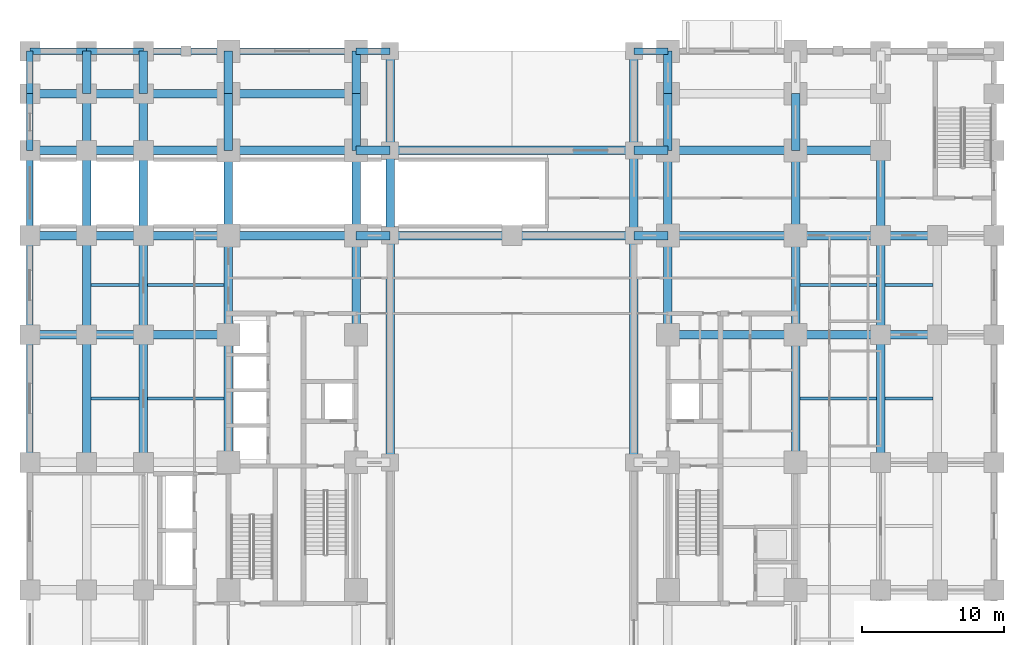
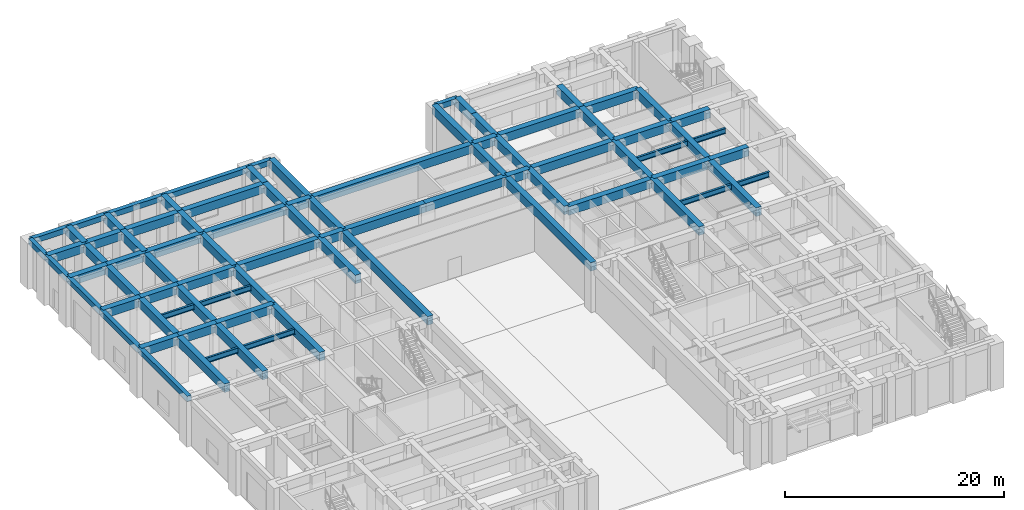
# One storey, part 4 of 20: 85 beams.
"""IFC4 building model written with IfcOpenShell, lengths in metres."""

from ifc_helpers import new_model, si_unit, direction, frame, origin, origin_2d, place, context, subcontext, project, spatial, rectangle, i_section, extrude, material, material_profile, profile_set, type_object, element, save


model = new_model("IFC4")

# Units and contexts
model_context = context("Model", 3, precision=1e-05, world=origin(), true_north=direction((0.0, 1.0)))
body_context = subcontext(model_context, "Body", "Model", "MODEL_VIEW")
ifc_project = project(units=[si_unit("LENGTHUNIT", "METRE"), si_unit("AREAUNIT", "SQUARE_METRE"), si_unit("VOLUMEUNIT", "CUBIC_METRE"), si_unit("PLANEANGLEUNIT", "RADIAN"), si_unit("MASSUNIT", "GRAM", prefix="KILO")], contexts=[model_context])

# Site, building, storey
site_placement = place(None, origin())
site = spatial("IfcSite", under=ifc_project, at=site_placement, CompositionType="ELEMENT")
building_placement = place(site_placement, origin())
building = spatial("IfcBuilding", under=site, at=building_placement, Name="Zulmaris Gate Convention Tower", CompositionType="ELEMENT")
storey_placement = place(building_placement, origin())
storey = spatial("IfcBuildingStorey", under=building, at=storey_placement, Name="L00", CompositionType="ELEMENT", Elevation=0.0)

# Beams
ifc_material_1 = material(Name="Concrete C60/75", Category="concrete")
ifc_material_profile_1 = material_profile(ifc_material_1, rectangle(XDim=0.60009765625, YDim=0.949951171875, at=origin_2d()), Name="RC BEAM 600x950")
ifc_profile_set_1 = profile_set([ifc_material_profile_1], Name="Concrete C60/75")
beam_type_1 = type_object("IfcBeamType", Name="BM-RC600x950", PredefinedType="BEAM", material=ifc_profile_set_1)
for number, where, z_axis, x_axis, name in (
    (1, (-34.0, 9.0, 4.614990234375), (1.0, 0.0, 0.0), (0.0, 1.0, 0.0), "L00 Beam BM-L00-X-+9.0--34.0"),
    (2, (-30.0, 9.0, 4.614990234375), (1.0, 0.0, 0.0), (0.0, 1.0, 0.0), "L00 Beam BM-L00-X-+9.0--30.0"),
):
    element("IfcBeam", number, at=place(storey_placement, frame(where, z_axis=z_axis, x_axis=x_axis)), inside=storey, type_object=beam_type_1, Name=name, PredefinedType="BEAM", context=body_context, shape_type="SweptSolid", body=[
        extrude(rectangle(XDim=0.60009765625, YDim=0.949951171875, at=origin_2d()), origin(), (0.0, 0.0, 1.0), 4.0),
    ])
beam_1_placement = place(storey_placement, frame((-26.0, 9.0, 4.614990234375), z_axis=(1.0, 0.0, 0.0), x_axis=(0.0, 1.0, 0.0)))
element("IfcBeam", 3, at=beam_1_placement, inside=storey, type_object=beam_type_1, Name="L00 Beam BM-L00-X-+9.0--26.0", PredefinedType="BEAM", context=body_context, shape_type="SweptSolid", body=[
    extrude(rectangle(XDim=0.60009765625, YDim=0.949951171875, at=origin_2d()), origin(), (0.0, 0.0, 1.0), 6.0),
])
beam_2_placement = place(storey_placement, frame((11.0, 9.0, 4.614990234375), z_axis=(1.0, 0.0, 0.0), x_axis=(0.0, 1.0, 0.0)))
element("IfcBeam", 4, at=beam_2_placement, inside=storey, type_object=beam_type_1, Name="L00 Beam BM-L00-X-+9.0-+11.0", PredefinedType="BEAM", context=body_context, shape_type="SweptSolid", body=[
    extrude(rectangle(XDim=0.60009765625, YDim=0.949951171875, at=origin_2d()), origin(), (0.0, 0.0, 1.0), 9.0),
])
beam_3_placement = place(storey_placement, frame((20.0, 9.0, 4.614990234375), z_axis=(1.0, 0.0, 0.0), x_axis=(0.0, 1.0, 0.0)))
element("IfcBeam", 5, at=beam_3_placement, inside=storey, type_object=beam_type_1, Name="L00 Beam BM-L00-X-+9.0-+20.0", PredefinedType="BEAM", context=body_context, shape_type="SweptSolid", body=[
    extrude(rectangle(XDim=0.60009765625, YDim=0.949951171875, at=origin_2d()), origin(), (0.0, 0.0, 1.0), 6.0),
])
for number, where, z_axis, x_axis, name in (
    (6, (26.0, 9.0, 4.614990234375), (1.0, 0.0, 0.0), (0.0, 1.0, 0.0), "L00 Beam BM-L00-X-+9.0-+26.0"),
    (7, (-34.0, 16.0, 4.614990234375), (1.0, 0.0, 0.0), (0.0, 1.0, 0.0), "L00 Beam BM-L00-X-+16.0--34.0"),
    (8, (-30.0, 16.0, 4.614990234375), (1.0, 0.0, 0.0), (0.0, 1.0, 0.0), "L00 Beam BM-L00-X-+16.0--30.0"),
):
    element("IfcBeam", number, at=place(storey_placement, frame(where, z_axis=z_axis, x_axis=x_axis)), inside=storey, type_object=beam_type_1, Name=name, PredefinedType="BEAM", context=body_context, shape_type="SweptSolid", body=[
        extrude(rectangle(XDim=0.60009765625, YDim=0.949951171875, at=origin_2d()), origin(), (0.0, 0.0, 1.0), 4.0),
    ])
beam_4_placement = place(storey_placement, frame((-26.0, 16.0, 4.614990234375), z_axis=(1.0, 0.0, 0.0), x_axis=(0.0, 1.0, 0.0)))
element("IfcBeam", 9, at=beam_4_placement, inside=storey, type_object=beam_type_1, Name="L00 Beam BM-L00-X-+16.0--26.0", PredefinedType="BEAM", context=body_context, shape_type="SweptSolid", body=[
    extrude(rectangle(XDim=0.60009765625, YDim=0.949951171875, at=origin_2d()), origin(), (0.0, 0.0, 1.0), 6.0),
])
beam_5_placement = place(storey_placement, frame((-20.0, 16.0, 4.614990234375), z_axis=(1.0, 0.0, 0.0), x_axis=(0.0, 1.0, 0.0)))
element("IfcBeam", 10, at=beam_5_placement, inside=storey, type_object=beam_type_1, Name="L00 Beam BM-L00-X-+16.0--20.0", PredefinedType="BEAM", context=body_context, shape_type="SweptSolid", body=[
    extrude(rectangle(XDim=0.60009765625, YDim=0.949951171875, at=origin_2d()), origin(), (0.0, 0.0, 1.0), 9.0),
])
beam_6_placement = place(storey_placement, frame((-11.0, 16.0, 4.614990234375), z_axis=(1.0, 0.0, 0.0), x_axis=(0.0, 1.0, 0.0)))
element("IfcBeam", 11, at=beam_6_placement, inside=storey, type_object=beam_type_1, Name="L00 Beam BM-L00-X-+16.0--11.0", PredefinedType="BEAM", context=body_context, shape_type="SweptSolid", body=[
    extrude(rectangle(XDim=0.60009765625, YDim=0.949951171875, at=origin_2d()), origin(), (0.0, 0.0, 1.0), 2.39990234375),
])
for number, where, z_axis, x_axis, name in (
    (12, (-8.60009765625, 16.0, 4.614990234375), (1.0, 0.0, 0.0), (0.0, 1.0, 0.0), "L00 Beam BM-L00-X-+16.0--8.6"),
    (13, (0.0, 16.0, 4.614990234375), (1.0, 0.0, 0.0), (0.0, 1.0, 0.0), "L00 Beam BM-L00-X-+16.0-+0.0"),
):
    element("IfcBeam", number, at=place(storey_placement, frame(where, z_axis=z_axis, x_axis=x_axis)), inside=storey, type_object=beam_type_1, Name=name, PredefinedType="BEAM", context=body_context, shape_type="SweptSolid", body=[
        extrude(rectangle(XDim=0.60009765625, YDim=0.949951171875, at=origin_2d()), origin(), (0.0, 0.0, 1.0), 8.60009765625),
    ])
beam_7_placement = place(storey_placement, frame((8.60009765625, 16.0, 4.614990234375), z_axis=(1.0, 0.0, 0.0), x_axis=(0.0, 1.0, 0.0)))
element("IfcBeam", 14, at=beam_7_placement, inside=storey, type_object=beam_type_1, Name="L00 Beam BM-L00-X-+16.0-+8.6", PredefinedType="BEAM", context=body_context, shape_type="SweptSolid", body=[
    extrude(rectangle(XDim=0.60009765625, YDim=0.949951171875, at=origin_2d()), origin(), (0.0, 0.0, 1.0), 2.39990234375),
])
beam_8_placement = place(storey_placement, frame((11.0, 16.0, 4.614990234375), z_axis=(1.0, 0.0, 0.0), x_axis=(0.0, 1.0, 0.0)))
element("IfcBeam", 15, at=beam_8_placement, inside=storey, type_object=beam_type_1, Name="L00 Beam BM-L00-X-+16.0-+11.0", PredefinedType="BEAM", context=body_context, shape_type="SweptSolid", body=[
    extrude(rectangle(XDim=0.60009765625, YDim=0.949951171875, at=origin_2d()), origin(), (0.0, 0.0, 1.0), 9.0),
])
beam_9_placement = place(storey_placement, frame((20.0, 16.0, 4.614990234375), z_axis=(1.0, 0.0, 0.0), x_axis=(0.0, 1.0, 0.0)))
element("IfcBeam", 16, at=beam_9_placement, inside=storey, type_object=beam_type_1, Name="L00 Beam BM-L00-X-+16.0-+20.0", PredefinedType="BEAM", context=body_context, shape_type="SweptSolid", body=[
    extrude(rectangle(XDim=0.60009765625, YDim=0.949951171875, at=origin_2d()), origin(), (0.0, 0.0, 1.0), 6.0),
])
for number, where, z_axis, x_axis, name in (
    (17, (26.0, 16.0, 4.614990234375), (1.0, 0.0, 0.0), (0.0, 1.0, 0.0), "L00 Beam BM-L00-X-+16.0-+26.0"),
    (18, (-34.0, 22.0, 4.614990234375), (1.0, 0.0, 0.0), (0.0, 1.0, 0.0), "L00 Beam BM-L00-X-+22.0--34.0"),
    (19, (-30.0, 22.0, 4.614990234375), (1.0, 0.0, 0.0), (0.0, 1.0, 0.0), "L00 Beam BM-L00-X-+22.0--30.0"),
):
    element("IfcBeam", number, at=place(storey_placement, frame(where, z_axis=z_axis, x_axis=x_axis)), inside=storey, type_object=beam_type_1, Name=name, PredefinedType="BEAM", context=body_context, shape_type="SweptSolid", body=[
        extrude(rectangle(XDim=0.60009765625, YDim=0.949951171875, at=origin_2d()), origin(), (0.0, 0.0, 1.0), 4.0),
    ])
beam_10_placement = place(storey_placement, frame((-26.0, 22.0, 4.614990234375), z_axis=(1.0, 0.0, 0.0), x_axis=(0.0, 1.0, 0.0)))
element("IfcBeam", 20, at=beam_10_placement, inside=storey, type_object=beam_type_1, Name="L00 Beam BM-L00-X-+22.0--26.0", PredefinedType="BEAM", context=body_context, shape_type="SweptSolid", body=[
    extrude(rectangle(XDim=0.60009765625, YDim=0.949951171875, at=origin_2d()), origin(), (0.0, 0.0, 1.0), 6.0),
])
beam_11_placement = place(storey_placement, frame((-20.0, 22.0, 4.614990234375), z_axis=(1.0, 0.0, 0.0), x_axis=(0.0, 1.0, 0.0)))
element("IfcBeam", 21, at=beam_11_placement, inside=storey, type_object=beam_type_1, Name="L00 Beam BM-L00-X-+22.0--20.0", PredefinedType="BEAM", context=body_context, shape_type="SweptSolid", body=[
    extrude(rectangle(XDim=0.60009765625, YDim=0.949951171875, at=origin_2d()), origin(), (0.0, 0.0, 1.0), 9.0),
])
beam_12_placement = place(storey_placement, frame((-11.0, 22.0, 4.614990234375), z_axis=(1.0, 0.0, 0.0), x_axis=(0.0, 1.0, 0.0)))
element("IfcBeam", 22, at=beam_12_placement, inside=storey, type_object=beam_type_1, Name="L00 Beam BM-L00-X-+22.0--11.0", PredefinedType="BEAM", context=body_context, shape_type="SweptSolid", body=[
    extrude(rectangle(XDim=0.60009765625, YDim=0.949951171875, at=origin_2d()), origin(), (0.0, 0.0, 1.0), 2.39990234375),
])
beam_13_placement = place(storey_placement, frame((-8.60009765625, 22.0, 4.614990234375), z_axis=(1.0, 0.0, 0.0), x_axis=(0.0, 1.0, 0.0)))
element("IfcBeam", 23, at=beam_13_placement, inside=storey, type_object=beam_type_1, Name="L00 Beam BM-L00-X-+22.0--8.6", PredefinedType="BEAM", context=body_context, shape_type="SweptSolid", body=[
    extrude(rectangle(XDim=0.60009765625, YDim=0.949951171875, at=origin_2d()), origin(), (0.0, 0.0, 1.0), 17.2001953125),
])
beam_14_placement = place(storey_placement, frame((8.60009765625, 22.0, 4.614990234375), z_axis=(1.0, 0.0, 0.0), x_axis=(0.0, 1.0, 0.0)))
element("IfcBeam", 24, at=beam_14_placement, inside=storey, type_object=beam_type_1, Name="L00 Beam BM-L00-X-+22.0-+8.6", PredefinedType="BEAM", context=body_context, shape_type="SweptSolid", body=[
    extrude(rectangle(XDim=0.60009765625, YDim=0.949951171875, at=origin_2d()), origin(), (0.0, 0.0, 1.0), 2.39990234375),
])
beam_15_placement = place(storey_placement, frame((11.0, 22.0, 4.614990234375), z_axis=(1.0, 0.0, 0.0), x_axis=(0.0, 1.0, 0.0)))
element("IfcBeam", 25, at=beam_15_placement, inside=storey, type_object=beam_type_1, Name="L00 Beam BM-L00-X-+22.0-+11.0", PredefinedType="BEAM", context=body_context, shape_type="SweptSolid", body=[
    extrude(rectangle(XDim=0.60009765625, YDim=0.949951171875, at=origin_2d()), origin(), (0.0, 0.0, 1.0), 9.0),
])
beam_16_placement = place(storey_placement, frame((20.0, 22.0, 4.614990234375), z_axis=(1.0, 0.0, 0.0), x_axis=(0.0, 1.0, 0.0)))
element("IfcBeam", 26, at=beam_16_placement, inside=storey, type_object=beam_type_1, Name="L00 Beam BM-L00-X-+22.0-+20.0", PredefinedType="BEAM", context=body_context, shape_type="SweptSolid", body=[
    extrude(rectangle(XDim=0.60009765625, YDim=0.949951171875, at=origin_2d()), origin(), (0.0, 0.0, 1.0), 6.0),
])
for number, where, z_axis, x_axis, name in (
    (27, (-34.0, 26.0, 4.614990234375), (1.0, 0.0, 0.0), (0.0, 1.0, 0.0), "L00 Beam BM-L00-X-+26.0--34.0"),
    (28, (-30.0, 26.0, 4.614990234375), (1.0, 0.0, 0.0), (0.0, 1.0, 0.0), "L00 Beam BM-L00-X-+26.0--30.0"),
):
    element("IfcBeam", number, at=place(storey_placement, frame(where, z_axis=z_axis, x_axis=x_axis)), inside=storey, type_object=beam_type_1, Name=name, PredefinedType="BEAM", context=body_context, shape_type="SweptSolid", body=[
        extrude(rectangle(XDim=0.60009765625, YDim=0.949951171875, at=origin_2d()), origin(), (0.0, 0.0, 1.0), 4.0),
    ])
beam_17_placement = place(storey_placement, frame((-26.0, 26.0, 4.614990234375), z_axis=(1.0, 0.0, 0.0), x_axis=(0.0, 1.0, 0.0)))
element("IfcBeam", 29, at=beam_17_placement, inside=storey, type_object=beam_type_1, Name="L00 Beam BM-L00-X-+26.0--26.0", PredefinedType="BEAM", context=body_context, shape_type="SweptSolid", body=[
    extrude(rectangle(XDim=0.60009765625, YDim=0.949951171875, at=origin_2d()), origin(), (0.0, 0.0, 1.0), 6.0),
])
for number, where, z_axis, x_axis, name in (
    (30, (-20.0, 26.0, 4.614990234375), (1.0, 0.0, 0.0), (0.0, 1.0, 0.0), "L00 Beam BM-L00-X-+26.0--20.0"),
    (31, (-30.0, 0.0, 4.614990234375), (0.0, 1.0, 0.0), (-1.0, 0.0, 0.0), "L00 Beam BM-L00-Y--30.0-+0.0"),
):
    element("IfcBeam", number, at=place(storey_placement, frame(where, z_axis=z_axis, x_axis=x_axis)), inside=storey, type_object=beam_type_1, Name=name, PredefinedType="BEAM", context=body_context, shape_type="SweptSolid", body=[
        extrude(rectangle(XDim=0.60009765625, YDim=0.949951171875, at=origin_2d()), origin(), (0.0, 0.0, 1.0), 9.0),
    ])
beam_18_placement = place(storey_placement, frame((-30.0, 9.0, 4.614990234375), z_axis=(0.0, 1.0, 0.0), x_axis=(-1.0, 0.0, 0.0)))
element("IfcBeam", 32, at=beam_18_placement, inside=storey, type_object=beam_type_1, Name="L00 Beam BM-L00-Y--30.0-+9.0", PredefinedType="BEAM", context=body_context, shape_type="SweptSolid", body=[
    extrude(rectangle(XDim=0.60009765625, YDim=0.949951171875, at=origin_2d()), origin(), (0.0, 0.0, 1.0), 7.0),
])
beam_19_placement = place(storey_placement, frame((-30.0, 16.0, 4.614990234375), z_axis=(0.0, 1.0, 0.0), x_axis=(-1.0, 0.0, 0.0)))
element("IfcBeam", 33, at=beam_19_placement, inside=storey, type_object=beam_type_1, Name="L00 Beam BM-L00-Y--30.0-+16.0", PredefinedType="BEAM", context=body_context, shape_type="SweptSolid", body=[
    extrude(rectangle(XDim=0.60009765625, YDim=0.949951171875, at=origin_2d()), origin(), (0.0, 0.0, 1.0), 6.0),
])
beam_20_placement = place(storey_placement, frame((-30.0, 22.0, 4.614990234375), z_axis=(0.0, 1.0, 0.0), x_axis=(-1.0, 0.0, 0.0)))
element("IfcBeam", 34, at=beam_20_placement, inside=storey, type_object=beam_type_1, Name="L00 Beam BM-L00-Y--30.0-+22.0", PredefinedType="BEAM", context=body_context, shape_type="SweptSolid", body=[
    extrude(rectangle(XDim=0.60009765625, YDim=0.949951171875, at=origin_2d()), origin(), (0.0, 0.0, 1.0), 4.0),
])
beam_21_placement = place(storey_placement, frame((-30.0, 26.0, 4.614990234375), z_axis=(0.0, 1.0, 0.0), x_axis=(-1.0, 0.0, 0.0)))
element("IfcBeam", 35, at=beam_21_placement, inside=storey, type_object=beam_type_1, Name="L00 Beam BM-L00-Y--30.0-+26.0", PredefinedType="BEAM", context=body_context, shape_type="SweptSolid", body=[
    extrude(rectangle(XDim=0.60009765625, YDim=0.949951171875, at=origin_2d()), origin(), (0.0, 0.0, 1.0), 3.0),
])
beam_22_placement = place(storey_placement, frame((-26.0, 0.0, 4.614990234375), z_axis=(0.0, 1.0, 0.0), x_axis=(-1.0, 0.0, 0.0)))
element("IfcBeam", 36, at=beam_22_placement, inside=storey, type_object=beam_type_1, Name="L00 Beam BM-L00-Y--26.0-+0.0", PredefinedType="BEAM", context=body_context, shape_type="SweptSolid", body=[
    extrude(rectangle(XDim=0.60009765625, YDim=0.949951171875, at=origin_2d()), origin(), (0.0, 0.0, 1.0), 9.0),
])
beam_23_placement = place(storey_placement, frame((-26.0, 9.0, 4.614990234375), z_axis=(0.0, 1.0, 0.0), x_axis=(-1.0, 0.0, 0.0)))
element("IfcBeam", 37, at=beam_23_placement, inside=storey, type_object=beam_type_1, Name="L00 Beam BM-L00-Y--26.0-+9.0", PredefinedType="BEAM", context=body_context, shape_type="SweptSolid", body=[
    extrude(rectangle(XDim=0.60009765625, YDim=0.949951171875, at=origin_2d()), origin(), (0.0, 0.0, 1.0), 7.0),
])
beam_24_placement = place(storey_placement, frame((-26.0, 16.0, 4.614990234375), z_axis=(0.0, 1.0, 0.0), x_axis=(-1.0, 0.0, 0.0)))
element("IfcBeam", 38, at=beam_24_placement, inside=storey, type_object=beam_type_1, Name="L00 Beam BM-L00-Y--26.0-+16.0", PredefinedType="BEAM", context=body_context, shape_type="SweptSolid", body=[
    extrude(rectangle(XDim=0.60009765625, YDim=0.949951171875, at=origin_2d()), origin(), (0.0, 0.0, 1.0), 6.0),
])
beam_25_placement = place(storey_placement, frame((-26.0, 22.0, 4.614990234375), z_axis=(0.0, 1.0, 0.0), x_axis=(-1.0, 0.0, 0.0)))
element("IfcBeam", 39, at=beam_25_placement, inside=storey, type_object=beam_type_1, Name="L00 Beam BM-L00-Y--26.0-+22.0", PredefinedType="BEAM", context=body_context, shape_type="SweptSolid", body=[
    extrude(rectangle(XDim=0.60009765625, YDim=0.949951171875, at=origin_2d()), origin(), (0.0, 0.0, 1.0), 4.0),
])
beam_26_placement = place(storey_placement, frame((-26.0, 26.0, 4.614990234375), z_axis=(0.0, 1.0, 0.0), x_axis=(-1.0, 0.0, 0.0)))
element("IfcBeam", 40, at=beam_26_placement, inside=storey, type_object=beam_type_1, Name="L00 Beam BM-L00-Y--26.0-+26.0", PredefinedType="BEAM", context=body_context, shape_type="SweptSolid", body=[
    extrude(rectangle(XDim=0.60009765625, YDim=0.949951171875, at=origin_2d()), origin(), (0.0, 0.0, 1.0), 3.0),
])
beam_27_placement = place(storey_placement, frame((-20.0, 0.0, 4.614990234375), z_axis=(0.0, 1.0, 0.0), x_axis=(-1.0, 0.0, 0.0)))
element("IfcBeam", 41, at=beam_27_placement, inside=storey, type_object=beam_type_1, Name="L00 Beam BM-L00-Y--20.0-+0.0", PredefinedType="BEAM", context=body_context, shape_type="SweptSolid", body=[
    extrude(rectangle(XDim=0.60009765625, YDim=0.949951171875, at=origin_2d()), origin(), (0.0, 0.0, 1.0), 9.0),
])
beam_28_placement = place(storey_placement, frame((-20.0, 9.0, 4.614990234375), z_axis=(0.0, 1.0, 0.0), x_axis=(-1.0, 0.0, 0.0)))
element("IfcBeam", 42, at=beam_28_placement, inside=storey, type_object=beam_type_1, Name="L00 Beam BM-L00-Y--20.0-+9.0", PredefinedType="BEAM", context=body_context, shape_type="SweptSolid", body=[
    extrude(rectangle(XDim=0.60009765625, YDim=0.949951171875, at=origin_2d()), origin(), (0.0, 0.0, 1.0), 7.0),
])
beam_29_placement = place(storey_placement, frame((-20.0, 16.0, 4.614990234375), z_axis=(0.0, 1.0, 0.0), x_axis=(-1.0, 0.0, 0.0)))
element("IfcBeam", 43, at=beam_29_placement, inside=storey, type_object=beam_type_1, Name="L00 Beam BM-L00-Y--20.0-+16.0", PredefinedType="BEAM", context=body_context, shape_type="SweptSolid", body=[
    extrude(rectangle(XDim=0.60009765625, YDim=0.949951171875, at=origin_2d()), origin(), (0.0, 0.0, 1.0), 6.0),
])
beam_30_placement = place(storey_placement, frame((-20.0, 22.0, 4.614990234375), z_axis=(0.0, 1.0, 0.0), x_axis=(-1.0, 0.0, 0.0)))
element("IfcBeam", 44, at=beam_30_placement, inside=storey, type_object=beam_type_1, Name="L00 Beam BM-L00-Y--20.0-+22.0", PredefinedType="BEAM", context=body_context, shape_type="SweptSolid", body=[
    extrude(rectangle(XDim=0.60009765625, YDim=0.949951171875, at=origin_2d()), origin(), (0.0, 0.0, 1.0), 4.0),
])
beam_31_placement = place(storey_placement, frame((-20.0, 26.0, 4.614990234375), z_axis=(0.0, 1.0, 0.0), x_axis=(-1.0, 0.0, 0.0)))
element("IfcBeam", 45, at=beam_31_placement, inside=storey, type_object=beam_type_1, Name="L00 Beam BM-L00-Y--20.0-+26.0", PredefinedType="BEAM", context=body_context, shape_type="SweptSolid", body=[
    extrude(rectangle(XDim=0.60009765625, YDim=0.949951171875, at=origin_2d()), origin(), (0.0, 0.0, 1.0), 3.0),
])
beam_32_placement = place(storey_placement, frame((-11.0, 9.0, 4.614990234375), z_axis=(0.0, 1.0, 0.0), x_axis=(-1.0, 0.0, 0.0)))
element("IfcBeam", 46, at=beam_32_placement, inside=storey, type_object=beam_type_1, Name="L00 Beam BM-L00-Y--11.0-+9.0", PredefinedType="BEAM", context=body_context, shape_type="SweptSolid", body=[
    extrude(rectangle(XDim=0.60009765625, YDim=0.949951171875, at=origin_2d()), origin(), (0.0, 0.0, 1.0), 7.0),
])
beam_33_placement = place(storey_placement, frame((-11.0, 16.0, 4.614990234375), z_axis=(0.0, 1.0, 0.0), x_axis=(-1.0, 0.0, 0.0)))
element("IfcBeam", 47, at=beam_33_placement, inside=storey, type_object=beam_type_1, Name="L00 Beam BM-L00-Y--11.0-+16.0", PredefinedType="BEAM", context=body_context, shape_type="SweptSolid", body=[
    extrude(rectangle(XDim=0.60009765625, YDim=0.949951171875, at=origin_2d()), origin(), (0.0, 0.0, 1.0), 6.0),
])
beam_34_placement = place(storey_placement, frame((-11.0, 22.0, 4.614990234375), z_axis=(0.0, 1.0, 0.0), x_axis=(-1.0, 0.0, 0.0)))
element("IfcBeam", 48, at=beam_34_placement, inside=storey, type_object=beam_type_1, Name="L00 Beam BM-L00-Y--11.0-+22.0", PredefinedType="BEAM", context=body_context, shape_type="SweptSolid", body=[
    extrude(rectangle(XDim=0.60009765625, YDim=0.949951171875, at=origin_2d()), origin(), (0.0, 0.0, 1.0), 4.0),
])
beam_35_placement = place(storey_placement, frame((-11.0, 26.0, 4.614990234375), z_axis=(0.0, 1.0, 0.0), x_axis=(-1.0, 0.0, 0.0)))
element("IfcBeam", 49, at=beam_35_placement, inside=storey, type_object=beam_type_1, Name="L00 Beam BM-L00-Y--11.0-+26.0", PredefinedType="BEAM", context=body_context, shape_type="SweptSolid", body=[
    extrude(rectangle(XDim=0.60009765625, YDim=0.949951171875, at=origin_2d()), origin(), (0.0, 0.0, 1.0), 3.0),
])
beam_36_placement = place(storey_placement, frame((-8.60009765625, 0.0, 4.614990234375), z_axis=(0.0, 1.0, 0.0), x_axis=(-1.0, 0.0, 0.0)))
element("IfcBeam", 50, at=beam_36_placement, inside=storey, type_object=beam_type_1, Name="L00 Beam BM-L00-Y--8.6-+0.0", PredefinedType="BEAM", context=body_context, shape_type="SweptSolid", body=[
    extrude(rectangle(XDim=0.60009765625, YDim=0.949951171875, at=origin_2d()), origin(), (0.0, 0.0, 1.0), 16.0),
])
beam_37_placement = place(storey_placement, frame((-8.60009765625, 16.0, 4.614990234375), z_axis=(0.0, 1.0, 0.0), x_axis=(-1.0, 0.0, 0.0)))
element("IfcBeam", 51, at=beam_37_placement, inside=storey, type_object=beam_type_1, Name="L00 Beam BM-L00-Y--8.6-+16.0", PredefinedType="BEAM", context=body_context, shape_type="SweptSolid", body=[
    extrude(rectangle(XDim=0.60009765625, YDim=0.949951171875, at=origin_2d()), origin(), (0.0, 0.0, 1.0), 6.0),
])
beam_38_placement = place(storey_placement, frame((-8.60009765625, 22.0, 4.614990234375), z_axis=(0.0, 1.0, 0.0), x_axis=(-1.0, 0.0, 0.0)))
element("IfcBeam", 52, at=beam_38_placement, inside=storey, type_object=beam_type_1, Name="L00 Beam BM-L00-Y--8.6-+22.0", PredefinedType="BEAM", context=body_context, shape_type="SweptSolid", body=[
    extrude(rectangle(XDim=0.60009765625, YDim=0.949951171875, at=origin_2d()), origin(), (0.0, 0.0, 1.0), 7.0),
])
beam_39_placement = place(storey_placement, frame((8.60009765625, 0.0, 4.614990234375), z_axis=(0.0, 1.0, 0.0), x_axis=(-1.0, 0.0, 0.0)))
element("IfcBeam", 53, at=beam_39_placement, inside=storey, type_object=beam_type_1, Name="L00 Beam BM-L00-Y-+8.6-+0.0", PredefinedType="BEAM", context=body_context, shape_type="SweptSolid", body=[
    extrude(rectangle(XDim=0.60009765625, YDim=0.949951171875, at=origin_2d()), origin(), (0.0, 0.0, 1.0), 16.0),
])
beam_40_placement = place(storey_placement, frame((8.60009765625, 16.0, 4.614990234375), z_axis=(0.0, 1.0, 0.0), x_axis=(-1.0, 0.0, 0.0)))
element("IfcBeam", 54, at=beam_40_placement, inside=storey, type_object=beam_type_1, Name="L00 Beam BM-L00-Y-+8.6-+16.0", PredefinedType="BEAM", context=body_context, shape_type="SweptSolid", body=[
    extrude(rectangle(XDim=0.60009765625, YDim=0.949951171875, at=origin_2d()), origin(), (0.0, 0.0, 1.0), 6.0),
])
for number, where, z_axis, x_axis, name in (
    (55, (8.60009765625, 22.0, 4.614990234375), (0.0, 1.0, 0.0), (-1.0, 0.0, 0.0), "L00 Beam BM-L00-Y-+8.6-+22.0"),
    (56, (11.0, 9.0, 4.614990234375), (0.0, 1.0, 0.0), (-1.0, 0.0, 0.0), "L00 Beam BM-L00-Y-+11.0-+9.0"),
):
    element("IfcBeam", number, at=place(storey_placement, frame(where, z_axis=z_axis, x_axis=x_axis)), inside=storey, type_object=beam_type_1, Name=name, PredefinedType="BEAM", context=body_context, shape_type="SweptSolid", body=[
        extrude(rectangle(XDim=0.60009765625, YDim=0.949951171875, at=origin_2d()), origin(), (0.0, 0.0, 1.0), 7.0),
    ])
beam_41_placement = place(storey_placement, frame((11.0, 16.0, 4.614990234375), z_axis=(0.0, 1.0, 0.0), x_axis=(-1.0, 0.0, 0.0)))
element("IfcBeam", 57, at=beam_41_placement, inside=storey, type_object=beam_type_1, Name="L00 Beam BM-L00-Y-+11.0-+16.0", PredefinedType="BEAM", context=body_context, shape_type="SweptSolid", body=[
    extrude(rectangle(XDim=0.60009765625, YDim=0.949951171875, at=origin_2d()), origin(), (0.0, 0.0, 1.0), 6.0),
])
beam_42_placement = place(storey_placement, frame((11.0, 22.0, 4.614990234375), z_axis=(0.0, 1.0, 0.0), x_axis=(-1.0, 0.0, 0.0)))
element("IfcBeam", 58, at=beam_42_placement, inside=storey, type_object=beam_type_1, Name="L00 Beam BM-L00-Y-+11.0-+22.0", PredefinedType="BEAM", context=body_context, shape_type="SweptSolid", body=[
    extrude(rectangle(XDim=0.60009765625, YDim=0.949951171875, at=origin_2d()), origin(), (0.0, 0.0, 1.0), 4.0),
])
beam_43_placement = place(storey_placement, frame((11.0, 26.0, 4.614990234375), z_axis=(0.0, 1.0, 0.0), x_axis=(-1.0, 0.0, 0.0)))
element("IfcBeam", 59, at=beam_43_placement, inside=storey, type_object=beam_type_1, Name="L00 Beam BM-L00-Y-+11.0-+26.0", PredefinedType="BEAM", context=body_context, shape_type="SweptSolid", body=[
    extrude(rectangle(XDim=0.60009765625, YDim=0.949951171875, at=origin_2d()), origin(), (0.0, 0.0, 1.0), 3.0),
])
beam_44_placement = place(storey_placement, frame((20.0, 0.0, 4.614990234375), z_axis=(0.0, 1.0, 0.0), x_axis=(-1.0, 0.0, 0.0)))
element("IfcBeam", 60, at=beam_44_placement, inside=storey, type_object=beam_type_1, Name="L00 Beam BM-L00-Y-+20.0-+0.0", PredefinedType="BEAM", context=body_context, shape_type="SweptSolid", body=[
    extrude(rectangle(XDim=0.60009765625, YDim=0.949951171875, at=origin_2d()), origin(), (0.0, 0.0, 1.0), 9.0),
])
beam_45_placement = place(storey_placement, frame((20.0, 9.0, 4.614990234375), z_axis=(0.0, 1.0, 0.0), x_axis=(-1.0, 0.0, 0.0)))
element("IfcBeam", 61, at=beam_45_placement, inside=storey, type_object=beam_type_1, Name="L00 Beam BM-L00-Y-+20.0-+9.0", PredefinedType="BEAM", context=body_context, shape_type="SweptSolid", body=[
    extrude(rectangle(XDim=0.60009765625, YDim=0.949951171875, at=origin_2d()), origin(), (0.0, 0.0, 1.0), 7.0),
])
beam_46_placement = place(storey_placement, frame((20.0, 16.0, 4.614990234375), z_axis=(0.0, 1.0, 0.0), x_axis=(-1.0, 0.0, 0.0)))
element("IfcBeam", 62, at=beam_46_placement, inside=storey, type_object=beam_type_1, Name="L00 Beam BM-L00-Y-+20.0-+16.0", PredefinedType="BEAM", context=body_context, shape_type="SweptSolid", body=[
    extrude(rectangle(XDim=0.60009765625, YDim=0.949951171875, at=origin_2d()), origin(), (0.0, 0.0, 1.0), 6.0),
])
beam_47_placement = place(storey_placement, frame((20.0, 22.0, 4.614990234375), z_axis=(0.0, 1.0, 0.0), x_axis=(-1.0, 0.0, 0.0)))
element("IfcBeam", 63, at=beam_47_placement, inside=storey, type_object=beam_type_1, Name="L00 Beam BM-L00-Y-+20.0-+22.0", PredefinedType="BEAM", context=body_context, shape_type="SweptSolid", body=[
    extrude(rectangle(XDim=0.60009765625, YDim=0.949951171875, at=origin_2d()), origin(), (0.0, 0.0, 1.0), 4.0),
])
beam_48_placement = place(storey_placement, frame((26.0, 0.0, 4.614990234375), z_axis=(0.0, 1.0, 0.0), x_axis=(-1.0, 0.0, 0.0)))
element("IfcBeam", 64, at=beam_48_placement, inside=storey, type_object=beam_type_1, Name="L00 Beam BM-L00-Y-+26.0-+0.0", PredefinedType="BEAM", context=body_context, shape_type="SweptSolid", body=[
    extrude(rectangle(XDim=0.60009765625, YDim=0.949951171875, at=origin_2d()), origin(), (0.0, 0.0, 1.0), 9.0),
])
beam_49_placement = place(storey_placement, frame((26.0, 9.0, 4.614990234375), z_axis=(0.0, 1.0, 0.0), x_axis=(-1.0, 0.0, 0.0)))
element("IfcBeam", 65, at=beam_49_placement, inside=storey, type_object=beam_type_1, Name="L00 Beam BM-L00-Y-+26.0-+9.0", PredefinedType="BEAM", context=body_context, shape_type="SweptSolid", body=[
    extrude(rectangle(XDim=0.60009765625, YDim=0.949951171875, at=origin_2d()), origin(), (0.0, 0.0, 1.0), 7.0),
])
beam_50_placement = place(storey_placement, frame((26.0, 16.0, 4.614990234375), z_axis=(0.0, 1.0, 0.0), x_axis=(-1.0, 0.0, 0.0)))
element("IfcBeam", 66, at=beam_50_placement, inside=storey, type_object=beam_type_1, Name="L00 Beam BM-L00-Y-+26.0-+16.0", PredefinedType="BEAM", context=body_context, shape_type="SweptSolid", body=[
    extrude(rectangle(XDim=0.60009765625, YDim=0.949951171875, at=origin_2d()), origin(), (0.0, 0.0, 1.0), 6.0),
])
ifc_material_2 = material(Name="Precast concrete C50/60", Category="concrete")
ifc_material_profile_2 = material_profile(ifc_material_2, rectangle(XDim=0.449951171875, YDim=0.60009765625, at=origin_2d()), Name="RC SPANDREL 450x600")
ifc_profile_set_2 = profile_set([ifc_material_profile_2], Name="Precast concrete C50/60")
beam_type_2 = type_object("IfcBeamType", Name="BM-SP450x600", PredefinedType="SPANDREL", material=ifc_profile_set_2)
for number, where, z_axis, x_axis, name in (
    (67, (-34.0, 29.0, 4.789794921875), (1.0, 0.0, 0.0), (0.0, 1.0, 0.0), "L00 Spandrel BM-L00-X-+29.0--34.0"),
    (68, (-30.0, 29.0, 4.789794921875), (1.0, 0.0, 0.0), (0.0, 1.0, 0.0), "L00 Spandrel BM-L00-X-+29.0--30.0"),
):
    element("IfcBeam", number, at=place(storey_placement, frame(where, z_axis=z_axis, x_axis=x_axis)), inside=storey, type_object=beam_type_2, Name=name, PredefinedType="SPANDREL", context=body_context, shape_type="SweptSolid", body=[
        extrude(rectangle(XDim=0.449951171875, YDim=0.60009765625, at=origin_2d()), origin(), (0.0, 0.0, 1.0), 4.0),
    ])
beam_51_placement = place(storey_placement, frame((-26.0, 29.0, 4.789794921875), z_axis=(1.0, 0.0, 0.0), x_axis=(0.0, 1.0, 0.0)))
element("IfcBeam", 69, at=beam_51_placement, inside=storey, type_object=beam_type_2, Name="L00 Spandrel BM-L00-X-+29.0--26.0", PredefinedType="SPANDREL", context=body_context, shape_type="SweptSolid", body=[
    extrude(rectangle(XDim=0.449951171875, YDim=0.60009765625, at=origin_2d()), origin(), (0.0, 0.0, 1.0), 6.0),
])
beam_52_placement = place(storey_placement, frame((-20.0, 29.0, 4.789794921875), z_axis=(1.0, 0.0, 0.0), x_axis=(0.0, 1.0, 0.0)))
element("IfcBeam", 70, at=beam_52_placement, inside=storey, type_object=beam_type_2, Name="L00 Spandrel BM-L00-X-+29.0--20.0", PredefinedType="SPANDREL", context=body_context, shape_type="SweptSolid", body=[
    extrude(rectangle(XDim=0.449951171875, YDim=0.60009765625, at=origin_2d()), origin(), (0.0, 0.0, 1.0), 9.0),
])
for number, where, z_axis, x_axis, name in (
    (71, (-11.0, 29.0, 4.789794921875), (1.0, 0.0, 0.0), (0.0, 1.0, 0.0), "L00 Spandrel BM-L00-X-+29.0--11.0"),
    (72, (8.60009765625, 29.0, 4.789794921875), (1.0, 0.0, 0.0), (0.0, 1.0, 0.0), "L00 Spandrel BM-L00-X-+29.0-+8.6"),
):
    element("IfcBeam", number, at=place(storey_placement, frame(where, z_axis=z_axis, x_axis=x_axis)), inside=storey, type_object=beam_type_2, Name=name, PredefinedType="SPANDREL", context=body_context, shape_type="SweptSolid", body=[
        extrude(rectangle(XDim=0.449951171875, YDim=0.60009765625, at=origin_2d()), origin(), (0.0, 0.0, 1.0), 2.39990234375),
    ])
beam_53_placement = place(storey_placement, frame((-34.0, 0.0, 4.789794921875), z_axis=(0.0, 1.0, 0.0), x_axis=(-1.0, 0.0, 0.0)))
element("IfcBeam", 73, at=beam_53_placement, inside=storey, type_object=beam_type_2, Name="L00 Spandrel BM-L00-Y--34.0-+0.0", PredefinedType="SPANDREL", context=body_context, shape_type="SweptSolid", body=[
    extrude(rectangle(XDim=0.449951171875, YDim=0.60009765625, at=origin_2d()), origin(), (0.0, 0.0, 1.0), 9.0),
])
beam_54_placement = place(storey_placement, frame((-34.0, 9.0, 4.789794921875), z_axis=(0.0, 1.0, 0.0), x_axis=(-1.0, 0.0, 0.0)))
element("IfcBeam", 74, at=beam_54_placement, inside=storey, type_object=beam_type_2, Name="L00 Spandrel BM-L00-Y--34.0-+9.0", PredefinedType="SPANDREL", context=body_context, shape_type="SweptSolid", body=[
    extrude(rectangle(XDim=0.449951171875, YDim=0.60009765625, at=origin_2d()), origin(), (0.0, 0.0, 1.0), 7.0),
])
beam_55_placement = place(storey_placement, frame((-34.0, 16.0, 4.789794921875), z_axis=(0.0, 1.0, 0.0), x_axis=(-1.0, 0.0, 0.0)))
element("IfcBeam", 75, at=beam_55_placement, inside=storey, type_object=beam_type_2, Name="L00 Spandrel BM-L00-Y--34.0-+16.0", PredefinedType="SPANDREL", context=body_context, shape_type="SweptSolid", body=[
    extrude(rectangle(XDim=0.449951171875, YDim=0.60009765625, at=origin_2d()), origin(), (0.0, 0.0, 1.0), 6.0),
])
beam_56_placement = place(storey_placement, frame((-34.0, 22.0, 4.789794921875), z_axis=(0.0, 1.0, 0.0), x_axis=(-1.0, 0.0, 0.0)))
element("IfcBeam", 76, at=beam_56_placement, inside=storey, type_object=beam_type_2, Name="L00 Spandrel BM-L00-Y--34.0-+22.0", PredefinedType="SPANDREL", context=body_context, shape_type="SweptSolid", body=[
    extrude(rectangle(XDim=0.449951171875, YDim=0.60009765625, at=origin_2d()), origin(), (0.0, 0.0, 1.0), 4.0),
])
beam_57_placement = place(storey_placement, frame((-34.0, 26.0, 4.789794921875), z_axis=(0.0, 1.0, 0.0), x_axis=(-1.0, 0.0, 0.0)))
element("IfcBeam", 77, at=beam_57_placement, inside=storey, type_object=beam_type_2, Name="L00 Spandrel BM-L00-Y--34.0-+26.0", PredefinedType="SPANDREL", context=body_context, shape_type="SweptSolid", body=[
    extrude(rectangle(XDim=0.449951171875, YDim=0.60009765625, at=origin_2d()), origin(), (0.0, 0.0, 1.0), 3.0),
])
ifc_material_3 = material(Name="Steel S355", Category="steel")
ifc_material_profile_3 = material_profile(ifc_material_3, i_section(OverallWidth=0.219970703125, OverallDepth=0.60009765625, WebThickness=0.011962890625, FlangeThickness=0.01904296875, FilletRadius=0.02392578125, at=origin_2d()), Name="IPE 600")
ifc_profile_set_3 = profile_set([ifc_material_profile_3], Name="Steel S355")
beam_type_3 = type_object("IfcBeamType", Name="JT-IPE600", PredefinedType="JOIST", material=ifc_profile_set_3)
for number, where, z_axis, x_axis, name in (
    (78, (-29.699951171875, 4.5, 4.787841796875), (1.0, 0.0, 0.0), (0.0, 1.0, 0.0), "L00 Joist JT-L00--30_-26-+4.5"),
    (79, (-29.699951171875, 12.5, 4.787841796875), (1.0, 0.0, 0.0), (0.0, 1.0, 0.0), "L00 Joist JT-L00--30_-26-+12.5"),
):
    element("IfcBeam", number, at=place(storey_placement, frame(where, z_axis=z_axis, x_axis=x_axis)), inside=storey, type_object=beam_type_3, Name=name, PredefinedType="JOIST", context=body_context, shape_type="SweptSolid", body=[
        extrude(i_section(OverallWidth=0.219970703125, OverallDepth=0.60009765625, WebThickness=0.011962890625, FlangeThickness=0.01904296875, FilletRadius=0.02392578125, at=origin_2d()), origin(), (0.0, 0.0, 1.0), 3.39990234375),
    ])
for number, where, z_axis, x_axis, name in (
    (80, (-25.699951171875, 4.5, 4.787841796875), (1.0, 0.0, 0.0), (0.0, 1.0, 0.0), "L00 Joist JT-L00--26_-20-+4.5"),
    (81, (-25.699951171875, 12.5, 4.787841796875), (1.0, 0.0, 0.0), (0.0, 1.0, 0.0), "L00 Joist JT-L00--26_-20-+12.5"),
    (82, (20.300048828125, 4.5, 4.787841796875), (1.0, 0.0, 0.0), (0.0, 1.0, 0.0), "L00 Joist JT-L00-+20_+26-+4.5"),
    (83, (20.300048828125, 12.5, 4.787841796875), (1.0, 0.0, 0.0), (0.0, 1.0, 0.0), "L00 Joist JT-L00-+20_+26-+12.5"),
):
    element("IfcBeam", number, at=place(storey_placement, frame(where, z_axis=z_axis, x_axis=x_axis)), inside=storey, type_object=beam_type_3, Name=name, PredefinedType="JOIST", context=body_context, shape_type="SweptSolid", body=[
        extrude(i_section(OverallWidth=0.219970703125, OverallDepth=0.60009765625, WebThickness=0.011962890625, FlangeThickness=0.01904296875, FilletRadius=0.02392578125, at=origin_2d()), origin(), (0.0, 0.0, 1.0), 5.39990234375),
    ])
for number, where, z_axis, x_axis, name in (
    (84, (26.300048828125, 4.5, 4.787841796875), (1.0, 0.0, 0.0), (0.0, 1.0, 0.0), "L00 Joist JT-L00-+26_+30-+4.5"),
    (85, (26.300048828125, 12.5, 4.787841796875), (1.0, 0.0, 0.0), (0.0, 1.0, 0.0), "L00 Joist JT-L00-+26_+30-+12.5"),
):
    element("IfcBeam", number, at=place(storey_placement, frame(where, z_axis=z_axis, x_axis=x_axis)), inside=storey, type_object=beam_type_3, Name=name, PredefinedType="JOIST", context=body_context, shape_type="SweptSolid", body=[
        extrude(i_section(OverallWidth=0.219970703125, OverallDepth=0.60009765625, WebThickness=0.011962890625, FlangeThickness=0.01904296875, FilletRadius=0.02392578125, at=origin_2d()), origin(), (0.0, 0.0, 1.0), 3.39990234375),
    ])

save(model, "model.ifc")
